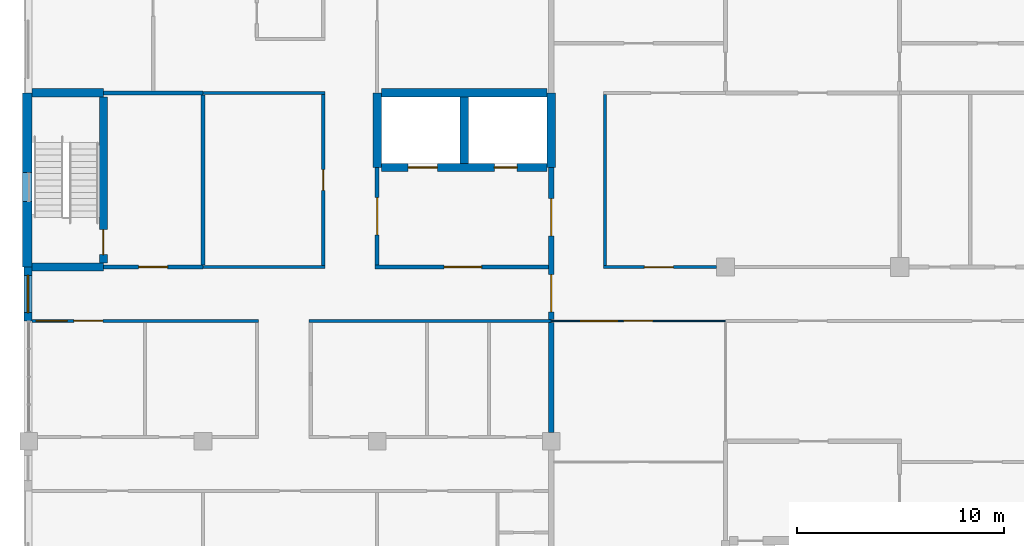
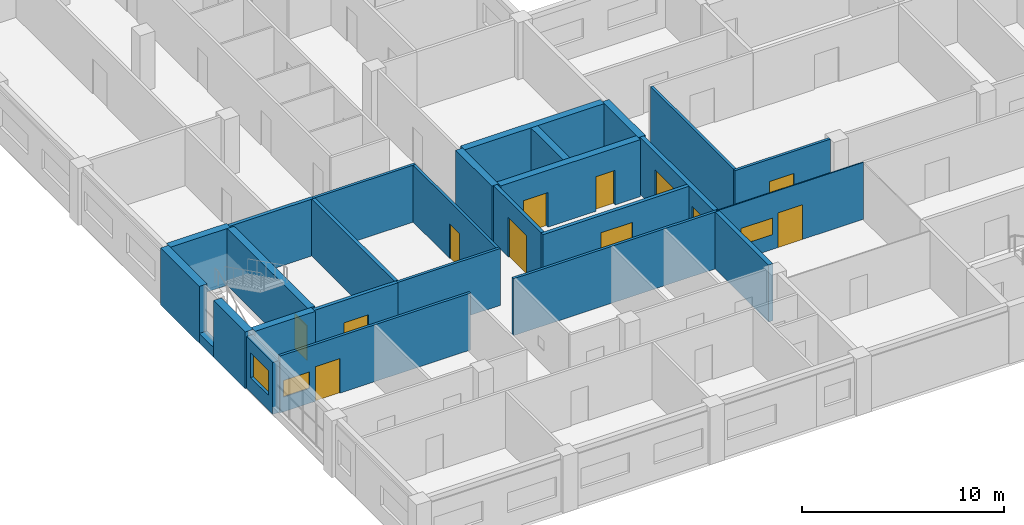
# One storey, part 52 of 94: 27 walls, 12 doors, 3 windows, 15 openings.
"""IFC4 building model written with IfcOpenShell, lengths in metres."""

import ifcopenshell
import ifcopenshell.guid

model = None  # the IFC model being written
_history = None  # IfcOwnerHistory: only IFC2X3 demands one
_inside = {}  # id of a spatial element -> (the spatial element, [elements in it])
_under = {}  # id of a project, library or spatial element -> (it, [spatial elements below it])
_declared = {}  # id of a project -> (the project, [libraries it declares])
_typed = {}  # id of a type object -> (the type object, [elements of that type])
_made_of = {}  # id of a material, layer set ... -> (it, [elements and type objects made of it])


def new_model(schema):
    """Start an empty IFC model of exactly this schema.

    Asked for "IFC4X3", IfcOpenShell would pick the latest addendum, in which some entities
    have other attributes; the version numbers below select the first issue.
    IFC2X3 requires an IfcOwnerHistory on every rooted entity: one is made here for all.
    """
    global model, _history
    if schema == "IFC4X3":
        model = ifcopenshell.file(schema_version=(4, 3, 0, 0))
    else:
        model = ifcopenshell.file(schema=schema)
    _inside.clear()
    _under.clear()
    _declared.clear()
    _typed.clear()
    _made_of.clear()
    _history = None
    if model.schema == "IFC2X3":
        org = make("IfcOrganization", Name="unknown")
        user = make(
            "IfcPersonAndOrganization",
            ThePerson=make("IfcPerson", FamilyName="unknown"),
            TheOrganization=org,
        )
        app = make(
            "IfcApplication",
            ApplicationDeveloper=org,
            Version="unknown",
            ApplicationFullName="unknown",
            ApplicationIdentifier="unknown",
        )
        _history = make(
            "IfcOwnerHistory",
            OwningUser=user,
            OwningApplication=app,
            ChangeAction="ADDED",
            CreationDate=0,
        )
    return model


def make(cls, **values):
    """One entity of the class cls with the attributes given. An attribute that is None is left unset."""
    return model.create_entity(
        cls, **{name: value for name, value in values.items() if value is not None}
    )


def rooted(cls, **values):
    """An entity with a GlobalId (a new one), such as an element, a storey or a relation."""
    return make(cls, GlobalId=ifcopenshell.guid.new(), OwnerHistory=_history, **values)


def si_unit(unit_type, name, prefix=None):
    """IfcSIUnit, for example si_unit("LENGTHUNIT", "METRE", prefix="MILLI")."""
    return make("IfcSIUnit", UnitType=unit_type, Prefix=prefix, Name=name)


def assignment(units):
    """IfcUnitAssignment: the units of a project."""
    return None if units is None else make("IfcUnitAssignment", Units=units)


def point(xyz):
    """IfcCartesianPoint."""
    return None if xyz is None else make("IfcCartesianPoint", Coordinates=xyz)


def direction(xyz):
    """IfcDirection."""
    return None if xyz is None else make("IfcDirection", DirectionRatios=xyz)


def frame(location, z_axis=None, x_axis=None):
    """IfcAxis2Placement3D, a coordinate frame: its origin and axes. An axis left out is left unset."""
    return make(
        "IfcAxis2Placement3D",
        Location=point(location),
        Axis=direction(z_axis),
        RefDirection=direction(x_axis),
    )


def frame_2d(location, x_axis=None):
    """IfcAxis2Placement2D, a coordinate frame in the plane: its origin and x axis."""
    return make(
        "IfcAxis2Placement2D", Location=point(location), RefDirection=direction(x_axis)
    )


def origin():
    """The frame at (0, 0, 0) with its axes left unset."""
    return frame((0.0, 0.0, 0.0))


def place(relative_to, where):
    """IfcLocalPlacement: puts the frame where relative to a parent placement (None: the world)."""
    return make(
        "IfcLocalPlacement", PlacementRelTo=relative_to, RelativePlacement=where
    )


def context(
    kind, dimensions, precision=None, world=None, true_north=None, identifier=None
):
    """IfcGeometricRepresentationContext, for example the 3D "Model" context."""
    return make(
        "IfcGeometricRepresentationContext",
        ContextIdentifier=identifier,
        ContextType=kind,
        CoordinateSpaceDimension=dimensions,
        Precision=precision,
        WorldCoordinateSystem=world,
        TrueNorth=true_north,
    )


def subcontext(parent, identifier, kind, view, scale=None):
    """IfcGeometricRepresentationSubContext, for example "Body" below "Model"."""
    return make(
        "IfcGeometricRepresentationSubContext",
        ContextIdentifier=identifier,
        ContextType=kind,
        ParentContext=parent,
        TargetScale=scale,
        TargetView=view,
    )


def project(units=None, contexts=None):
    """IfcProject with its units and contexts."""
    return rooted(
        "IfcProject",
        Name="project",
        RepresentationContexts=contexts,
        UnitsInContext=assignment(units),
    )


def spatial(cls, under=None, at=None, **own):
    """A site, building, storey or space (cls), placed at a placement, below another one or the project."""
    s = rooted(cls, ObjectPlacement=at, **own)
    if under is not None:
        _under.setdefault(under.id(), (under, []))[1].append(s)
    return s


def profile(cls, at=None, kind="AREA", **sizes):
    """A parametric profile (cls). Its sizes go by their IFC names, for example OverallWidth=200.0."""
    return make(cls, ProfileType=kind, Position=at, **sizes)


def rectangle(**sizes):
    """IfcRectangleProfileDef."""
    return profile("IfcRectangleProfileDef", **sizes)


def extrude(swept, where, along, depth):
    """IfcExtrudedAreaSolid: the profile swept, set in the frame where, extruded along a direction by depth."""
    return make(
        "IfcExtrudedAreaSolid",
        SweptArea=swept,
        Position=where,
        ExtrudedDirection=direction(along),
        Depth=depth,
    )


def shape(context_of_items, identifier, shape_type, items):
    """IfcShapeRepresentation: the items that make up one representation, for example the "Body"."""
    return make(
        "IfcShapeRepresentation",
        ContextOfItems=context_of_items,
        RepresentationIdentifier=identifier,
        RepresentationType=shape_type,
        Items=items,
    )


def material(Name=None, Category=None):
    """IfcMaterial."""
    return make("IfcMaterial", Name=Name, Category=Category)


def layer(
    of_material, thickness, ventilated=None, Name=None, Category=None, Priority=None
):
    """IfcMaterialLayer: one layer of a wall or slab, of a material (None: an air gap)."""
    return make(
        "IfcMaterialLayer",
        Material=of_material,
        LayerThickness=thickness,
        IsVentilated=ventilated,
        Name=Name,
        Category=Category,
        Priority=Priority,
    )


def layer_set(layers, Name=None):
    """IfcMaterialLayerSet."""
    return make("IfcMaterialLayerSet", MaterialLayers=layers, LayerSetName=Name)


def made_of(thing, what):
    """Note that an element or type object is made of a material, layer set ...; save() writes the relation."""
    if what is not None:
        _made_of.setdefault(what.id(), (what, []))[1].append(thing)
    return thing


def type_object(cls, material=None, **own):
    """A type object (cls), such as IfcWallType, which elements share."""
    return made_of(rooted(cls, **own), material)


def element(
    cls,
    number,
    at=None,
    inside=None,
    cuts=None,
    type_object=None,
    material=None,
    context=None,
    identifier="Body",
    shape_type=None,
    held_by="IfcProductDefinitionShape",
    body=None,
    shapes=None,
    **own,
):
    """One element of the class cls, such as IfcWall. Its Tag is "e" and its number.

    at: its placement. inside: the storey or other place that contains it. cuts: it is an
    opening in that element (IfcRelVoidsElement). A single representation is given by context,
    identifier, shape_type and body (its items); several are given by shapes. held_by: the class
    of the entity that holds the representations. save() writes the other relations.
    """
    e = rooted(cls, Tag="e%d" % number, ObjectPlacement=at, **own)
    if body is not None:
        shapes = [shape(context, identifier, shape_type, body)]
    if shapes is not None:
        e.Representation = make(held_by, Representations=shapes)
    if inside is not None:
        _inside.setdefault(inside.id(), (inside, []))[1].append(e)
    if cuts is not None:
        rooted(
            "IfcRelVoidsElement", RelatingBuildingElement=cuts, RelatedOpeningElement=e
        )
    if type_object is not None:
        _typed.setdefault(type_object.id(), (type_object, []))[1].append(e)
    return made_of(e, material)


def fill(opening, filler):
    """IfcRelFillsElement: the door or window that sits in an opening."""
    return rooted(
        "IfcRelFillsElement",
        RelatingOpeningElement=opening,
        RelatedBuildingElement=filler,
    )


def aggregate(whole, parts):
    """IfcRelAggregates: a whole, such as a stair, and the parts it consists of."""
    return rooted("IfcRelAggregates", RelatingObject=whole, RelatedObjects=parts)


def save(model, path):
    """Write the relations noted so far, then the file.

    IfcRelAggregates (storeys below a building ...), IfcRelContainedInSpatialStructure (elements
    in a storey), IfcRelDefinesByType, IfcRelAssociatesMaterial and IfcRelDeclares: one each for
    every whole, place, type object, material and project.
    """
    for whole, parts in _under.values():
        aggregate(whole, parts)
    for where, things in _inside.values():
        rooted(
            "IfcRelContainedInSpatialStructure",
            RelatedElements=things,
            RelatingStructure=where,
        )
    for kind, things in _typed.values():
        rooted("IfcRelDefinesByType", RelatedObjects=things, RelatingType=kind)
    for what, things in _made_of.values():
        rooted("IfcRelAssociatesMaterial", RelatedObjects=things, RelatingMaterial=what)
    for by, libraries in _declared.values():
        rooted("IfcRelDeclares", RelatingContext=by, RelatedDefinitions=libraries)
    model.write(path)


model = new_model("IFC4")

# Units and contexts
model_context = context("Model", 3, precision=1e-05, world=origin(), true_north=direction((0.0, 1.0)))
body_context = subcontext(model_context, "Body", "Model", "MODEL_VIEW")
ifc_project = project(units=[si_unit("LENGTHUNIT", "METRE"), si_unit("AREAUNIT", "SQUARE_METRE"), si_unit("VOLUMEUNIT", "CUBIC_METRE"), si_unit("PLANEANGLEUNIT", "RADIAN"), si_unit("MASSUNIT", "GRAM", prefix="KILO")], contexts=[model_context])

# Site, building, storey
site_placement = place(None, origin())
site = spatial("IfcSite", under=ifc_project, at=site_placement, CompositionType="ELEMENT")
building_placement = place(site_placement, origin())
building = spatial("IfcBuilding", under=site, at=building_placement, Name="Yavir Park General Hospital", CompositionType="ELEMENT")
storey_placement = place(building_placement, frame((0.0, 0.0, 4.5)))
storey = spatial("IfcBuildingStorey", under=building, at=storey_placement, Name="L01", CompositionType="ELEMENT", Elevation=4.5)

# Wall
ifc_material_1 = material(Name="Concrete C30/37", Category="concrete")
ifc_layer_1 = layer(ifc_material_1, 0.25)
ifc_layer_set_1 = layer_set([ifc_layer_1], Name="Concrete C30/37")
wall_type_1 = type_object("IfcWallType", Name="Compartment fire wall 250, REI 150", PredefinedType="SOLIDWALL", material=ifc_layer_set_1)
wall_1_placement = place(storey_placement, frame((25.199951171875, 8.824951171875, 0.0), z_axis=(0.0, 0.0, 1.0), x_axis=(0.0, 1.0, 0.0)))
element("IfcWall", 1, at=wall_1_placement, inside=storey, type_object=wall_type_1, Name="FW25 L01-320", PredefinedType="SOLIDWALL", context=body_context, shape_type="SweptSolid", body=[
    extrude(rectangle(XDim=5.300048828125, YDim=0.25, at=frame_2d((2.64990234375, 0.0))), origin(), (0.0, 0.0, 1.0), 3.449951171875),
])

# Wall, openings, doors
wall_2_placement = place(storey_placement, frame((25.199951171875, 14.27490234375, 0.0), z_axis=(0.0, 0.0, 1.0), x_axis=(0.0, 1.0, 0.0)))
wall_2 = element("IfcWall", 2, at=wall_2_placement, inside=storey, type_object=wall_type_1, Name="FW25 L01-321", PredefinedType="SOLIDWALL", context=body_context, shape_type="SweptSolid", body=[
    extrude(rectangle(XDim=7.3251953125, YDim=0.25, at=frame_2d((3.66259765625, 0.0))), origin(), (0.0, 0.0, 1.0), 3.449951171875),
])
opening_1_placement = place(wall_2_placement, frame((0.362548828125, 0.0, 0.0)))
opening_1 = element("IfcOpeningElement", 3, at=opening_1_placement, cuts=wall_2, Name="Opening L01.D224", PredefinedType="OPENING", context=body_context, shape_type="SweptSolid", body=[
    extrude(rectangle(XDim=1.800048828125, YDim=2.39990234375, at=frame_2d((0.89990234375, 1.199951171875))), frame((0.0, 0.135009765625, 0.0), z_axis=(0.0, -1.0, 0.0), x_axis=(1.0, 0.0, 0.0)), (0.0, 0.0, 1.0), 0.27001953125),
])
opening_2_placement = place(wall_2_placement, frame((4.02490234375, 0.0, 0.0)))
opening_2 = element("IfcOpeningElement", 4, at=opening_2_placement, cuts=wall_2, Name="Opening L01.D225", PredefinedType="OPENING", context=body_context, shape_type="SweptSolid", body=[
    extrude(rectangle(XDim=1.800048828125, YDim=2.39990234375, at=frame_2d((0.89990234375, 1.199951171875))), frame((0.0, 0.135009765625, 0.0), z_axis=(0.0, -1.0, 0.0), x_axis=(1.0, 0.0, 0.0)), (0.0, 0.0, 1.0), 0.27001953125),
])
ifc_material_2 = material(Name="Steel frame, fire-resisting leaves with vision panels", Category="steel")
door_type_1 = type_object("IfcDoorType", Name="Double fire door with vision panels 1800 x 2400, EI 60", OperationType="DOUBLE_DOOR_SINGLE_SWING", PredefinedType="DOOR", material=ifc_material_2)
door_1_placement = place(opening_1_placement, origin())
door_1 = element("IfcDoor", 5, at=door_1_placement, inside=storey, type_object=door_type_1, Name="L01.D224", OperationType="SINGLE_SWING_LEFT", OverallHeight=2.39990234375, OverallWidth=1.800048828125, PredefinedType="DOOR", context=body_context, shape_type="SweptSolid", body=[
    extrude(rectangle(XDim=1.800048828125, YDim=2.39990234375, at=frame_2d((0.89990234375, 1.199951171875))), frame((0.0, 0.030029296875, 0.0), z_axis=(0.0, -1.0, 0.0), x_axis=(1.0, 0.0, 0.0)), (0.0, 0.0, 1.0), 0.06005859375),
])
fill(opening_1, door_1)
door_2_placement = place(opening_2_placement, origin())
door_2 = element("IfcDoor", 6, at=door_2_placement, inside=storey, type_object=door_type_1, Name="L01.D225", OperationType="SINGLE_SWING_LEFT", OverallHeight=2.39990234375, OverallWidth=1.800048828125, PredefinedType="DOOR", context=body_context, shape_type="SweptSolid", body=[
    extrude(rectangle(XDim=1.800048828125, YDim=2.39990234375, at=frame_2d((0.89990234375, 1.199951171875))), frame((0.0, 0.030029296875, 0.0), z_axis=(0.0, -1.0, 0.0), x_axis=(1.0, 0.0, 0.0)), (0.0, 0.0, 1.0), 0.06005859375),
])
fill(opening_2, door_2)

# Wall, opening, door
ifc_material_3 = material(Name="Double gypsum board fire partition on steel studs", Category="steel")
ifc_layer_2 = layer(ifc_material_3, 0.199951171875)
ifc_layer_set_2 = layer_set([ifc_layer_2], Name="Double gypsum board fire partition on steel studs")
wall_type_2 = type_object("IfcWallType", Name="Fire-rated partition 200, EI 60", PredefinedType="PARTITIONING", material=ifc_layer_set_2)
wall_3_placement = place(storey_placement, frame((3.60009765625, 16.800048828125, 0.0), z_axis=(0.0, 0.0, 1.0), x_axis=(1.0, 0.0, 0.0)))
wall_3 = element("IfcWall", 7, at=wall_3_placement, inside=storey, type_object=wall_type_2, Name="FP20 L01-065", PredefinedType="PARTITIONING", context=body_context, shape_type="SweptSolid", body=[
    extrude(rectangle(XDim=4.7998046875, YDim=0.199951171875, at=frame_2d((2.39990234375, 0.0))), origin(), (0.0, 0.0, 1.0), 3.449951171875),
])
opening_3_placement = place(wall_3_placement, frame((1.699951171875, 0.0, 0.0)))
opening_3 = element("IfcOpeningElement", 8, at=opening_3_placement, cuts=wall_3, Name="Opening L01.D082", PredefinedType="OPENING", context=body_context, shape_type="SweptSolid", body=[
    extrude(rectangle(XDim=1.39990234375, YDim=2.10009765625, at=frame_2d((0.699951171875, 1.050048828125))), frame((0.0, 0.10986328125, 0.0), z_axis=(0.0, -1.0, 0.0), x_axis=(1.0, 0.0, 0.0)), (0.0, 0.0, 1.0), 0.219970703125),
])
ifc_material_4 = material(Name="Steel frame, fire-resisting leaves with vision panels", Category="steel")
door_type_2 = type_object("IfcDoorType", Name="Double fire door with vision panels 1400 x 2100, EI 60", OperationType="DOUBLE_DOOR_SINGLE_SWING", PredefinedType="DOOR", material=ifc_material_4)
door_3_placement = place(opening_3_placement, origin())
door_3 = element("IfcDoor", 9, at=door_3_placement, inside=storey, type_object=door_type_2, Name="L01.D082", OperationType="SINGLE_SWING_LEFT", OverallHeight=2.10009765625, OverallWidth=1.39990234375, PredefinedType="DOOR", context=body_context, shape_type="SweptSolid", body=[
    extrude(rectangle(XDim=1.39990234375, YDim=2.10009765625, at=frame_2d((0.699951171875, 1.050048828125))), frame((0.0, 0.030029296875, 0.0), z_axis=(0.0, -1.0, 0.0), x_axis=(1.0, 0.0, 0.0)), (0.0, 0.0, 1.0), 0.06005859375),
])
fill(opening_3, door_3)

wall_4_placement = place(storey_placement, frame((16.699951171875, 16.800048828125, 0.0), z_axis=(0.0, 0.0, 1.0), x_axis=(1.0, 0.0, 0.0)))
wall_4 = element("IfcWall", 10, at=wall_4_placement, inside=storey, type_object=wall_type_2, Name="FP20 L01-067", PredefinedType="PARTITIONING", context=body_context, shape_type="SweptSolid", body=[
    extrude(rectangle(XDim=8.375, YDim=0.199951171875, at=frame_2d((4.1875, 0.0))), origin(), (0.0, 0.0, 1.0), 3.449951171875),
])
opening_4_placement = place(wall_4_placement, frame((3.33740234375, 0.0, 0.0)))
opening_4 = element("IfcOpeningElement", 11, at=opening_4_placement, cuts=wall_4, Name="Opening L01.D083", PredefinedType="OPENING", context=body_context, shape_type="SweptSolid", body=[
    extrude(rectangle(XDim=1.800048828125, YDim=2.39990234375, at=frame_2d((0.89990234375, 1.199951171875))), frame((0.0, 0.10986328125, 0.0), z_axis=(0.0, -1.0, 0.0), x_axis=(1.0, 0.0, 0.0)), (0.0, 0.0, 1.0), 0.219970703125),
])
door_4_placement = place(opening_4_placement, origin())
door_4 = element("IfcDoor", 12, at=door_4_placement, inside=storey, type_object=door_type_1, Name="L01.D083", OperationType="SINGLE_SWING_RIGHT", OverallHeight=2.39990234375, OverallWidth=1.800048828125, PredefinedType="DOOR", context=body_context, shape_type="SweptSolid", body=[
    extrude(rectangle(XDim=1.800048828125, YDim=2.39990234375, at=frame_2d((0.89990234375, 1.199951171875))), frame((0.0, 0.030029296875, 0.0), z_axis=(0.0, -1.0, 0.0), x_axis=(1.0, 0.0, 0.0)), (0.0, 0.0, 1.0), 0.06005859375),
])
fill(opening_4, door_4)

# Walls
wall_5_placement = place(storey_placement, frame((3.60009765625, 25.199951171875, 0.0), z_axis=(0.0, 0.0, 1.0), x_axis=(1.0, 0.0, 0.0)))
element("IfcWall", 13, at=wall_5_placement, inside=storey, type_object=wall_type_2, Name="FP20 L01-091", PredefinedType="PARTITIONING", context=body_context, shape_type="SweptSolid", body=[
    extrude(rectangle(XDim=4.7998046875, YDim=0.199951171875, at=frame_2d((2.39990234375, 0.0))), origin(), (0.0, 0.0, 1.0), 3.449951171875),
])
wall_6_placement = place(storey_placement, frame((8.39990234375, 16.89990234375, 0.0), z_axis=(0.0, 0.0, 1.0), x_axis=(0.0, 1.0, 0.0)))
element("IfcWall", 14, at=wall_6_placement, inside=storey, type_object=wall_type_2, Name="FP20 L01-285", PredefinedType="PARTITIONING", context=body_context, shape_type="SweptSolid", body=[
    extrude(rectangle(XDim=8.2001953125, YDim=0.199951171875, at=frame_2d((4.10009765625, 0.0))), origin(), (0.0, 0.0, 1.0), 3.449951171875),
])

# Wall, opening, door
wall_7_placement = place(storey_placement, frame((16.800048828125, 16.89990234375, 0.0), z_axis=(0.0, 0.0, 1.0), x_axis=(0.0, 1.0, 0.0)))
wall_7 = element("IfcWall", 15, at=wall_7_placement, inside=storey, type_object=wall_type_2, Name="FP20 L01-301", PredefinedType="PARTITIONING", context=body_context, shape_type="SweptSolid", body=[
    extrude(rectangle(XDim=4.7001953125, YDim=0.199951171875, at=frame_2d((2.35009765625, 0.0))), origin(), (0.0, 0.0, 1.0), 3.449951171875),
])
opening_5_placement = place(wall_7_placement, frame((1.449951171875, 0.0, 0.0)))
opening_5 = element("IfcOpeningElement", 16, at=opening_5_placement, cuts=wall_7, Name="Opening L01.D208", PredefinedType="OPENING", context=body_context, shape_type="SweptSolid", body=[
    extrude(rectangle(XDim=1.800048828125, YDim=2.39990234375, at=frame_2d((0.89990234375, 1.199951171875))), frame((0.0, 0.10986328125, 0.0), z_axis=(0.0, -1.0, 0.0), x_axis=(1.0, 0.0, 0.0)), (0.0, 0.0, 1.0), 0.219970703125),
])
door_5_placement = place(opening_5_placement, origin())
door_5 = element("IfcDoor", 17, at=door_5_placement, inside=storey, type_object=door_type_1, Name="L01.D208", OperationType="SINGLE_SWING_LEFT", OverallHeight=2.39990234375, OverallWidth=1.800048828125, PredefinedType="DOOR", context=body_context, shape_type="SweptSolid", body=[
    extrude(rectangle(XDim=1.800048828125, YDim=2.39990234375, at=frame_2d((0.89990234375, 1.199951171875))), frame((0.0, 0.030029296875, 0.0), z_axis=(0.0, -1.0, 0.0), x_axis=(1.0, 0.0, 0.0)), (0.0, 0.0, 1.0), 0.06005859375),
])
fill(opening_5, door_5)

# Wall, openings, door, window
ifc_material_5 = material(Name="Gypsum board partition on steel studs", Category="steel")
ifc_layer_3 = layer(ifc_material_5, 0.14990234375)
ifc_layer_set_3 = layer_set([ifc_layer_3], Name="Gypsum board partition on steel studs")
wall_type_3 = type_object("IfcWallType", Name="Gypsum board partition 150", PredefinedType="PARTITIONING", material=ifc_layer_set_3)
wall_8_placement = place(storey_placement, frame((0.14990234375, 14.199951171875, 0.0), z_axis=(0.0, 0.0, 1.0), x_axis=(1.0, 0.0, 0.0)))
wall_8 = element("IfcWall", 18, at=wall_8_placement, inside=storey, type_object=wall_type_3, Name="P15 L01-045", PredefinedType="PARTITIONING", context=body_context, shape_type="SweptSolid", body=[
    extrude(rectangle(XDim=10.925048828125, YDim=0.14990234375, at=frame_2d((5.46240234375, 0.0))), origin(), (0.0, 0.0, 1.0), 3.449951171875),
])
opening_6_placement = place(wall_8_placement, frame((2.02490234375, 0.0, 0.0)))
opening_6 = element("IfcOpeningElement", 19, at=opening_6_placement, cuts=wall_8, Name="Opening L01.D058", PredefinedType="OPENING", context=body_context, shape_type="SweptSolid", body=[
    extrude(rectangle(XDim=1.39990234375, YDim=2.10009765625, at=frame_2d((0.699951171875, 1.050048828125))), frame((0.0, 0.0849609375, 0.0), z_axis=(0.0, -1.0, 0.0), x_axis=(1.0, 0.0, 0.0)), (0.0, 0.0, 1.0), 0.169921875),
])
opening_7_placement = place(wall_8_placement, frame((0.199951171875, 0.0, 0.89990234375)))
opening_7 = element("IfcOpeningElement", 20, at=opening_7_placement, cuts=wall_8, Name="Opening L01.901", PredefinedType="OPENING", context=body_context, shape_type="SweptSolid", body=[
    extrude(rectangle(XDim=1.5, YDim=1.0, at=frame_2d((0.75, 0.5))), frame((0.0, 0.0849609375, 0.0), z_axis=(0.0, -1.0, 0.0), x_axis=(1.0, 0.0, 0.0)), (0.0, 0.0, 1.0), 0.169921875),
])
ifc_material_6 = material(Name="Hollow metal frame, solid-core timber leaf", Category="wood")
door_type_3 = type_object("IfcDoorType", Name="Double swing door 1400 x 2100", OperationType="DOUBLE_DOOR_SINGLE_SWING", PredefinedType="DOOR", material=ifc_material_6)
door_6_placement = place(opening_6_placement, origin())
door_6 = element("IfcDoor", 21, at=door_6_placement, inside=storey, type_object=door_type_3, Name="L01.D058", OperationType="SINGLE_SWING_RIGHT", OverallHeight=2.10009765625, OverallWidth=1.39990234375, PredefinedType="DOOR", context=body_context, shape_type="SweptSolid", body=[
    extrude(rectangle(XDim=1.39990234375, YDim=2.10009765625, at=frame_2d((0.699951171875, 1.050048828125))), frame((0.0, 0.02490234375, 0.0), z_axis=(0.0, -1.0, 0.0), x_axis=(1.0, 0.0, 0.0)), (0.0, 0.0, 1.0), 0.050048828125),
])
fill(opening_6, door_6)
ifc_material_7 = material(Name="Toughened glass sliding panels, aluminium frame", Category="aluminium")
window_type_1 = type_object("IfcWindowType", Name="Reception counter window 1500 x 1000", PartitioningType="DOUBLE_PANEL_HORIZONTAL", PredefinedType="WINDOW", material=ifc_material_7)
window_1_placement = place(opening_7_placement, origin())
window_1 = element("IfcWindow", 22, at=window_1_placement, inside=storey, type_object=window_type_1, Name="L01.901", OverallHeight=1.0, OverallWidth=1.5, PartitioningType="DOUBLE_PANEL_HORIZONTAL", PredefinedType="WINDOW", context=body_context, shape_type="SweptSolid", body=[
    extrude(rectangle(XDim=1.5, YDim=1.0, at=frame_2d((0.75, 0.5))), frame((0.0, 0.02490234375, 0.0), z_axis=(0.0, -1.0, 0.0), x_axis=(1.0, 0.0, 0.0)), (0.0, 0.0, 1.0), 0.050048828125),
])
fill(opening_7, window_1)

# Walls
wall_9_placement = place(storey_placement, frame((13.52490234375, 14.199951171875, 0.0), z_axis=(0.0, 0.0, 1.0), x_axis=(1.0, 0.0, 0.0)))
element("IfcWall", 23, at=wall_9_placement, inside=storey, type_object=wall_type_3, Name="P15 L01-046", PredefinedType="PARTITIONING", context=body_context, shape_type="SweptSolid", body=[
    extrude(rectangle(XDim=11.675048828125, YDim=0.14990234375, at=frame_2d((5.83740234375, 0.0))), origin(), (0.0, 0.0, 1.0), 3.449951171875),
])
wall_10_placement = place(storey_placement, frame((8.39990234375, 16.800048828125, 0.0), z_axis=(0.0, 0.0, 1.0), x_axis=(1.0, 0.0, 0.0)))
element("IfcWall", 24, at=wall_10_placement, inside=storey, type_object=wall_type_3, Name="P15 L01-066", PredefinedType="PARTITIONING", context=body_context, shape_type="SweptSolid", body=[
    extrude(rectangle(XDim=5.875, YDim=0.14990234375, at=frame_2d((2.9375, 0.0))), origin(), (0.0, 0.0, 1.0), 3.449951171875),
])

# Wall, opening, door
wall_11_placement = place(storey_placement, frame((27.72509765625, 16.800048828125, 0.0), z_axis=(0.0, 0.0, 1.0), x_axis=(1.0, 0.0, 0.0)))
wall_11 = element("IfcWall", 25, at=wall_11_placement, inside=storey, type_object=wall_type_3, Name="P15 L01-068", PredefinedType="PARTITIONING", context=body_context, shape_type="SweptSolid", body=[
    extrude(rectangle(XDim=5.449951171875, YDim=0.14990234375, at=frame_2d((2.72509765625, 0.0))), origin(), (0.0, 0.0, 1.0), 3.449951171875),
])
opening_8_placement = place(wall_11_placement, frame((1.96240234375, 0.0, 0.0)))
opening_8 = element("IfcOpeningElement", 26, at=opening_8_placement, cuts=wall_11, Name="Opening L01.D084", PredefinedType="OPENING", context=body_context, shape_type="SweptSolid", body=[
    extrude(rectangle(XDim=1.39990234375, YDim=2.10009765625, at=frame_2d((0.699951171875, 1.050048828125))), frame((0.0, 0.0849609375, 0.0), z_axis=(0.0, -1.0, 0.0), x_axis=(1.0, 0.0, 0.0)), (0.0, 0.0, 1.0), 0.169921875),
])
door_7_placement = place(opening_8_placement, origin())
door_7 = element("IfcDoor", 27, at=door_7_placement, inside=storey, type_object=door_type_3, Name="L01.D084", OperationType="SINGLE_SWING_RIGHT", OverallHeight=2.10009765625, OverallWidth=1.39990234375, PredefinedType="DOOR", context=body_context, shape_type="SweptSolid", body=[
    extrude(rectangle(XDim=1.39990234375, YDim=2.10009765625, at=frame_2d((0.699951171875, 1.050048828125))), frame((0.0, 0.02490234375, 0.0), z_axis=(0.0, -1.0, 0.0), x_axis=(1.0, 0.0, 0.0)), (0.0, 0.0, 1.0), 0.050048828125),
])
fill(opening_8, door_7)

# Wall
wall_12_placement = place(storey_placement, frame((8.39990234375, 25.199951171875, 0.0), z_axis=(0.0, 0.0, 1.0), x_axis=(1.0, 0.0, 0.0)))
element("IfcWall", 28, at=wall_12_placement, inside=storey, type_object=wall_type_3, Name="P15 L01-092", PredefinedType="PARTITIONING", context=body_context, shape_type="SweptSolid", body=[
    extrude(rectangle(XDim=5.875, YDim=0.14990234375, at=frame_2d((2.9375, 0.0))), origin(), (0.0, 0.0, 1.0), 3.449951171875),
])

# Wall, opening, door
wall_13_placement = place(storey_placement, frame((14.199951171875, 16.875, 0.0), z_axis=(0.0, 0.0, 1.0), x_axis=(0.0, 1.0, 0.0)))
wall_13 = element("IfcWall", 29, at=wall_13_placement, inside=storey, type_object=wall_type_3, Name="P15 L01-294", PredefinedType="PARTITIONING", context=body_context, shape_type="SweptSolid", body=[
    extrude(rectangle(XDim=8.25, YDim=0.14990234375, at=frame_2d((4.125, 0.0))), origin(), (0.0, 0.0, 1.0), 3.449951171875),
])
opening_9_placement = place(wall_13_placement, frame((3.625, 0.0, 0.0)))
opening_9 = element("IfcOpeningElement", 30, at=opening_9_placement, cuts=wall_13, Name="Opening L01.D194", PredefinedType="OPENING", context=body_context, shape_type="SweptSolid", body=[
    extrude(rectangle(XDim=1.0, YDim=2.10009765625, at=frame_2d((0.5, 1.050048828125))), frame((0.0, 0.0849609375, 0.0), z_axis=(0.0, -1.0, 0.0), x_axis=(1.0, 0.0, 0.0)), (0.0, 0.0, 1.0), 0.169921875),
])
ifc_material_8 = material(Name="Hollow metal frame, solid-core timber leaf", Category="wood")
door_type_4 = type_object("IfcDoorType", Name="Single swing door 1000 x 2100", OperationType="SINGLE_SWING_LEFT", PredefinedType="DOOR", material=ifc_material_8)
door_8_placement = place(opening_9_placement, origin())
door_8 = element("IfcDoor", 31, at=door_8_placement, inside=storey, type_object=door_type_4, Name="L01.D194", OperationType="SINGLE_SWING_RIGHT", OverallHeight=2.10009765625, OverallWidth=1.0, PredefinedType="DOOR", context=body_context, shape_type="SweptSolid", body=[
    extrude(rectangle(XDim=1.0, YDim=2.10009765625, at=frame_2d((0.5, 1.050048828125))), frame((0.0, 0.02490234375, 0.0), z_axis=(0.0, -1.0, 0.0), x_axis=(1.0, 0.0, 0.0)), (0.0, 0.0, 1.0), 0.050048828125),
])
fill(opening_9, door_8)

# Wall
wall_14_placement = place(storey_placement, frame((27.800048828125, 16.875, 0.0), z_axis=(0.0, 0.0, 1.0), x_axis=(0.0, 1.0, 0.0)))
element("IfcWall", 32, at=wall_14_placement, inside=storey, type_object=wall_type_3, Name="P15 L01-325", PredefinedType="PARTITIONING", context=body_context, shape_type="SweptSolid", body=[
    extrude(rectangle(XDim=8.25, YDim=0.14990234375, at=frame_2d((4.125, 0.0))), origin(), (0.0, 0.0, 1.0), 3.449951171875),
])

# Wall, openings, door, window
ifc_material_9 = material(Name="Hygienic sandwich panel with galvanised steel sheet faces", Category="steel")
ifc_layer_4 = layer(ifc_material_9, 0.06005859375)
ifc_layer_set_4 = layer_set([ifc_layer_4], Name="Hygienic sandwich panel with galvanised steel sheet faces")
wall_type_4 = type_object("IfcWallType", Name="Hygienic panel partition 60", PredefinedType="PARTITIONING", material=ifc_layer_set_4)
wall_15_placement = place(storey_placement, frame((25.199951171875, 14.199951171875, 0.0), z_axis=(0.0, 0.0, 1.0), x_axis=(1.0, 0.0, 0.0)))
wall_15 = element("IfcWall", 33, at=wall_15_placement, inside=storey, type_object=wall_type_4, Name="HP60 L01-047", PredefinedType="PARTITIONING", context=body_context, shape_type="SweptSolid", body=[
    extrude(rectangle(XDim=8.400146484375, YDim=0.06005859375, at=frame_2d((4.2001953125, 0.0))), origin(), (0.0, 0.0, 1.0), 3.449951171875),
])
opening_10_placement = place(wall_15_placement, frame((3.5, 0.0, 0.0)))
opening_10 = element("IfcOpeningElement", 34, at=opening_10_placement, cuts=wall_15, Name="Opening L01.D059", PredefinedType="OPENING", context=body_context, shape_type="SweptSolid", body=[
    extrude(rectangle(XDim=1.39990234375, YDim=2.10009765625, at=frame_2d((0.699951171875, 1.050048828125))), frame((0.0, 0.0400390625, 0.0), z_axis=(0.0, -1.0, 0.0), x_axis=(1.0, 0.0, 0.0)), (0.0, 0.0, 1.0), 0.080078125),
])
opening_11_placement = place(wall_15_placement, frame((1.39990234375, 0.0, 0.89990234375)))
opening_11 = element("IfcOpeningElement", 35, at=opening_11_placement, cuts=wall_15, Name="Opening L01.902", PredefinedType="OPENING", context=body_context, shape_type="SweptSolid", body=[
    extrude(rectangle(XDim=1.800048828125, YDim=1.0, at=frame_2d((0.89990234375, 0.5))), frame((0.0, 0.0400390625, 0.0), z_axis=(0.0, -1.0, 0.0), x_axis=(1.0, 0.0, 0.0)), (0.0, 0.0, 1.0), 0.080078125),
])
door_9_placement = place(opening_10_placement, origin())
door_9 = element("IfcDoor", 36, at=door_9_placement, inside=storey, type_object=door_type_3, Name="L01.D059", OperationType="SINGLE_SWING_LEFT", OverallHeight=2.10009765625, OverallWidth=1.39990234375, PredefinedType="DOOR", context=body_context, shape_type="SweptSolid", body=[
    extrude(rectangle(XDim=1.39990234375, YDim=2.10009765625, at=frame_2d((0.699951171875, 1.050048828125))), frame((0.0, 0.02490234375, 0.0), z_axis=(0.0, -1.0, 0.0), x_axis=(1.0, 0.0, 0.0)), (0.0, 0.0, 1.0), 0.050048828125),
])
fill(opening_10, door_9)
ifc_material_10 = material(Name="Security glass, stainless steel counter frame", Category="steel")
window_type_2 = type_object("IfcWindowType", Name="Pharmacy dispensing hatch 1800 x 1000", PartitioningType="DOUBLE_PANEL_HORIZONTAL", PredefinedType="WINDOW", material=ifc_material_10)
window_2_placement = place(opening_11_placement, origin())
window_2 = element("IfcWindow", 37, at=window_2_placement, inside=storey, type_object=window_type_2, Name="L01.902", OverallHeight=1.0, OverallWidth=1.800048828125, PartitioningType="DOUBLE_PANEL_HORIZONTAL", PredefinedType="WINDOW", context=body_context, shape_type="SweptSolid", body=[
    extrude(rectangle(XDim=1.800048828125, YDim=1.0, at=frame_2d((0.89990234375, 0.5))), frame((0.0, 0.02978515625, 0.0), z_axis=(0.0, -1.0, 0.0), x_axis=(1.0, 0.0, 0.0)), (0.0, 0.0, 1.0), 0.0595703125),
])
fill(opening_11, window_2)

# Wall, opening, window
ifc_material_11 = material(Name="Autoclaved aerated block, 150 mm mineral wool and sand-coloured mineral render")
ifc_layer_5 = layer(ifc_material_11, 0.375)
ifc_layer_set_5 = layer_set([ifc_layer_5], Name="Autoclaved aerated block, 150 mm mineral wool and sand-coloured mineral render")
wall_type_5 = type_object("IfcWallType", Name="Mineral render clinical wall 375, E 30", PredefinedType="SOLIDWALL", material=ifc_layer_set_5)
wall_16_placement = place(storey_placement, frame((-0.03759765625, 14.199951171875, 0.0), z_axis=(0.0, 0.0, 1.0), x_axis=(0.0, 1.0, 0.0)))
wall_16 = element("IfcWall", 38, at=wall_16_placement, inside=storey, type_object=wall_type_5, Name="XW1 L01-137", PredefinedType="SOLIDWALL", context=body_context, shape_type="SweptSolid", body=[
    extrude(rectangle(XDim=2.60009765625, YDim=0.375, at=frame_2d((1.300048828125, 0.0))), origin(), (0.0, 0.0, 1.0), 3.14990234375),
])
opening_12_placement = place(wall_16_placement, frame((0.39990234375, 0.0, 0.89990234375)))
opening_12 = element("IfcOpeningElement", 39, at=opening_12_placement, cuts=wall_16, Name="Opening WG", PredefinedType="OPENING", context=body_context, shape_type="SweptSolid", body=[
    extrude(rectangle(XDim=1.800048828125, YDim=1.5, at=frame_2d((0.89990234375, 0.75))), frame((0.0, 0.197509765625, 0.0), z_axis=(0.0, -1.0, 0.0), x_axis=(1.0, 0.0, 0.0)), (0.0, 0.0, 1.0), 0.39501953125),
])
ifc_material_12 = material(Name="Aluminium frame, double glazed unit", Category="aluminium")
window_type_3 = type_object("IfcWindowType", Name="Single-bay window 1800 x 1500", PartitioningType="DOUBLE_PANEL_VERTICAL", PredefinedType="WINDOW", material=ifc_material_12)
window_3_placement = place(opening_12_placement, origin())
window_3 = element("IfcWindow", 40, at=window_3_placement, inside=storey, type_object=window_type_3, Name="WG L01-074", OverallHeight=1.5, OverallWidth=1.800048828125, PartitioningType="DOUBLE_PANEL_VERTICAL", PredefinedType="WINDOW", context=body_context, shape_type="SweptSolid", body=[
    extrude(rectangle(XDim=1.800048828125, YDim=1.5, at=frame_2d((0.89990234375, 0.75))), frame((0.0, 0.030029296875, 0.0), z_axis=(0.0, -1.0, 0.0), x_axis=(1.0, 0.0, 0.0)), (0.0, 0.0, 1.0), 0.06005859375),
])
fill(opening_12, window_3)

# Wall
ifc_material_13 = material(Name="Concrete C35/45", Category="concrete")
ifc_layer_6 = layer(ifc_material_13, 0.39990234375)
ifc_layer_set_6 = layer_set([ifc_layer_6], Name="Concrete C35/45")
wall_type_6 = type_object("IfcWallType", Name="Reinforced concrete core wall 400, REI 150", PredefinedType="SHEAR", material=ifc_layer_set_6)
wall_17_placement = place(storey_placement, frame((0.14990234375, 16.800048828125, 0.0), z_axis=(0.0, 0.0, 1.0), x_axis=(1.0, 0.0, 0.0)))
element("IfcWall", 41, at=wall_17_placement, inside=storey, type_object=wall_type_6, Name="CW40 L01-064", PredefinedType="SHEAR", context=body_context, shape_type="SweptSolid", body=[
    extrude(rectangle(XDim=3.4501953125, YDim=0.39990234375, at=frame_2d((1.72509765625, 0.0))), origin(), (0.0, 0.0, 1.0), 3.449951171875),
])

# Wall, openings, doors
wall_18_placement = place(storey_placement, frame((17.0, 21.60009765625, 0.0), z_axis=(0.0, 0.0, 1.0), x_axis=(1.0, 0.0, 0.0)))
wall_18 = element("IfcWall", 42, at=wall_18_placement, inside=storey, type_object=wall_type_6, Name="CW40 L01-087", PredefinedType="SHEAR", context=body_context, shape_type="SweptSolid", body=[
    extrude(rectangle(XDim=8.0, YDim=0.39990234375, at=frame_2d((4.0, 0.0))), origin(), (0.0, 0.0, 1.0), 3.449951171875),
])
opening_13_placement = place(wall_18_placement, frame((1.300048828125, 0.0, 0.0)))
opening_13 = element("IfcOpeningElement", 43, at=opening_13_placement, cuts=wall_18, Name="Opening L01.D099", PredefinedType="OPENING", context=body_context, shape_type="SweptSolid", body=[
    extrude(rectangle(XDim=1.39990234375, YDim=2.10009765625, at=frame_2d((0.699951171875, 1.050048828125))), frame((0.0, 0.2099609375, 0.0), z_axis=(0.0, -1.0, 0.0), x_axis=(1.0, 0.0, 0.0)), (0.0, 0.0, 1.0), 0.419921875),
])
opening_14_placement = place(wall_18_placement, frame((5.449951171875, 0.0, 0.0)))
opening_14 = element("IfcOpeningElement", 44, at=opening_14_placement, cuts=wall_18, Name="Opening L01.D100", PredefinedType="OPENING", context=body_context, shape_type="SweptSolid", body=[
    extrude(rectangle(XDim=1.10009765625, YDim=2.10009765625, at=frame_2d((0.550048828125, 1.050048828125))), frame((0.0, 0.2099609375, 0.0), z_axis=(0.0, -1.0, 0.0), x_axis=(1.0, 0.0, 0.0)), (0.0, 0.0, 1.0), 0.419921875),
])
ifc_material_14 = material(Name="Stainless steel landing door panels", Category="steel")
door_type_5 = type_object("IfcDoorType", Name="Lift landing door 1100 x 2100, EI 60", OperationType="SLIDING_TO_LEFT", PredefinedType="DOOR", material=ifc_material_14)
door_10_placement = place(opening_14_placement, origin())
door_10 = element("IfcDoor", 45, at=door_10_placement, inside=storey, type_object=door_type_5, Name="L01.D100", OperationType="SLIDING_TO_LEFT", OverallHeight=2.10009765625, OverallWidth=1.10009765625, PredefinedType="DOOR", context=body_context, shape_type="SweptSolid", body=[
    extrude(rectangle(XDim=1.10009765625, YDim=2.10009765625, at=frame_2d((0.550048828125, 1.050048828125))), frame((0.0, 0.02490234375, 0.0), z_axis=(0.0, -1.0, 0.0), x_axis=(1.0, 0.0, 0.0)), (0.0, 0.0, 1.0), 0.050048828125),
])
fill(opening_14, door_10)
ifc_material_15 = material(Name="Stainless steel landing door panels", Category="steel")
door_type_6 = type_object("IfcDoorType", Name="Lift landing door 1400 x 2100, EI 60", OperationType="SLIDING_TO_LEFT", PredefinedType="DOOR", material=ifc_material_15)
door_11_placement = place(opening_13_placement, origin())
door_11 = element("IfcDoor", 46, at=door_11_placement, inside=storey, type_object=door_type_6, Name="L01.D099", OperationType="SLIDING_TO_LEFT", OverallHeight=2.10009765625, OverallWidth=1.39990234375, PredefinedType="DOOR", context=body_context, shape_type="SweptSolid", body=[
    extrude(rectangle(XDim=1.39990234375, YDim=2.10009765625, at=frame_2d((0.699951171875, 1.050048828125))), frame((0.0, 0.02490234375, 0.0), z_axis=(0.0, -1.0, 0.0), x_axis=(1.0, 0.0, 0.0)), (0.0, 0.0, 1.0), 0.050048828125),
])
fill(opening_13, door_11)

# Walls
wall_19_placement = place(storey_placement, frame((0.14990234375, 25.199951171875, 0.0), z_axis=(0.0, 0.0, 1.0), x_axis=(1.0, 0.0, 0.0)))
element("IfcWall", 47, at=wall_19_placement, inside=storey, type_object=wall_type_6, Name="CW40 L01-090", PredefinedType="SHEAR", context=body_context, shape_type="SweptSolid", body=[
    extrude(rectangle(XDim=3.4501953125, YDim=0.39990234375, at=frame_2d((1.72509765625, 0.0))), origin(), (0.0, 0.0, 1.0), 3.449951171875),
])
wall_20_placement = place(storey_placement, frame((17.0, 25.199951171875, 0.0), z_axis=(0.0, 0.0, 1.0), x_axis=(1.0, 0.0, 0.0)))
element("IfcWall", 48, at=wall_20_placement, inside=storey, type_object=wall_type_6, Name="CW40 L01-093", PredefinedType="SHEAR", context=body_context, shape_type="SweptSolid", body=[
    extrude(rectangle(XDim=8.0, YDim=0.39990234375, at=frame_2d((4.0, 0.0))), origin(), (0.0, 0.0, 1.0), 3.449951171875),
])

# Wall, opening, door
wall_21_placement = place(storey_placement, frame((3.60009765625, 17.0, 0.0), z_axis=(0.0, 0.0, 1.0), x_axis=(0.0, 1.0, 0.0)))
wall_21 = element("IfcWall", 49, at=wall_21_placement, inside=storey, type_object=wall_type_6, Name="CW40 L01-275", PredefinedType="SHEAR", context=body_context, shape_type="SweptSolid", body=[
    extrude(rectangle(XDim=8.0, YDim=0.39990234375, at=frame_2d((4.0, 0.0))), origin(), (0.0, 0.0, 1.0), 3.449951171875),
])
opening_15_placement = place(wall_21_placement, frame((0.39990234375, 0.0, 0.0)))
opening_15 = element("IfcOpeningElement", 50, at=opening_15_placement, cuts=wall_21, Name="Opening L01.D165", PredefinedType="OPENING", context=body_context, shape_type="SweptSolid", body=[
    extrude(rectangle(XDim=1.199951171875, YDim=2.10009765625, at=frame_2d((0.60009765625, 1.050048828125))), frame((0.0, 0.2099609375, 0.0), z_axis=(0.0, -1.0, 0.0), x_axis=(1.0, 0.0, 0.0)), (0.0, 0.0, 1.0), 0.419921875),
])
ifc_material_16 = material(Name="Steel frame, fire-resisting timber leaf", Category="steel")
door_type_7 = type_object("IfcDoorType", Name="Fire door 1200 x 2100, EI 60", OperationType="SINGLE_SWING_LEFT", PredefinedType="DOOR", material=ifc_material_16)
door_12_placement = place(opening_15_placement, origin())
door_12 = element("IfcDoor", 51, at=door_12_placement, inside=storey, type_object=door_type_7, Name="L01.D165", OperationType="SINGLE_SWING_RIGHT", OverallHeight=2.10009765625, OverallWidth=1.199951171875, PredefinedType="DOOR", context=body_context, shape_type="SweptSolid", body=[
    extrude(rectangle(XDim=1.199951171875, YDim=2.10009765625, at=frame_2d((0.60009765625, 1.050048828125))), frame((0.0, 0.02490234375, 0.0), z_axis=(0.0, -1.0, 0.0), x_axis=(1.0, 0.0, 0.0)), (0.0, 0.0, 1.0), 0.050048828125),
])
fill(opening_15, door_12)

# Walls
wall_22_placement = place(storey_placement, frame((16.800048828125, 21.60009765625, 0.0), z_axis=(0.0, 0.0, 1.0), x_axis=(0.0, 1.0, 0.0)))
element("IfcWall", 52, at=wall_22_placement, inside=storey, type_object=wall_type_6, Name="CW40 L01-302", PredefinedType="SHEAR", context=body_context, shape_type="SweptSolid", body=[
    extrude(rectangle(XDim=3.599853515625, YDim=0.39990234375, at=frame_2d((1.7998046875, 0.0))), origin(), (0.0, 0.0, 1.0), 3.449951171875),
])
wall_23_placement = place(storey_placement, frame((21.0, 21.800048828125, 0.0), z_axis=(0.0, 0.0, 1.0), x_axis=(0.0, 1.0, 0.0)))
element("IfcWall", 53, at=wall_23_placement, inside=storey, type_object=wall_type_6, Name="CW40 L01-313", PredefinedType="SHEAR", context=body_context, shape_type="SweptSolid", body=[
    extrude(rectangle(XDim=3.199951171875, YDim=0.39990234375, at=frame_2d((1.60009765625, 0.0))), origin(), (0.0, 0.0, 1.0), 3.449951171875),
])
wall_24_placement = place(storey_placement, frame((25.199951171875, 21.60009765625, 0.0), z_axis=(0.0, 0.0, 1.0), x_axis=(0.0, 1.0, 0.0)))
element("IfcWall", 54, at=wall_24_placement, inside=storey, type_object=wall_type_6, Name="CW40 L01-322", PredefinedType="SHEAR", context=body_context, shape_type="SweptSolid", body=[
    extrude(rectangle(XDim=3.599853515625, YDim=0.39990234375, at=frame_2d((1.7998046875, 0.0))), origin(), (0.0, 0.0, 1.0), 3.449951171875),
])
ifc_material_17 = material(Name="Concrete C30/37 precast panel with 150 mm mineral wool insulation", Category="concrete")
ifc_layer_7 = layer(ifc_material_17, 0.449951171875)
ifc_layer_set_7 = layer_set([ifc_layer_7], Name="Concrete C30/37 precast panel with 150 mm mineral wool insulation")
wall_type_7 = type_object("IfcWallType", Name="Stair enclosure wall 450, REI 150", PredefinedType="SOLIDWALL", material=ifc_layer_set_7)
wall_25_placement = place(storey_placement, frame((-0.074951171875, 16.800048828125, 0.0), z_axis=(0.0, 0.0, 1.0), x_axis=(0.0, 1.0, 0.0)))
element("IfcWall", 55, at=wall_25_placement, inside=storey, type_object=wall_type_7, Name="XW6 L01-138", PredefinedType="SOLIDWALL", context=body_context, shape_type="SweptSolid", body=[
    extrude(rectangle(XDim=3.14990234375, YDim=0.449951171875, at=frame_2d((1.574951171875, 0.0))), origin(), (0.0, 0.0, 1.0), 3.449951171875),
])
wall_26_placement = place(storey_placement, frame((-0.074951171875, 21.35009765625, 0.0), z_axis=(0.0, 0.0, 1.0), x_axis=(0.0, 1.0, 0.0)))
element("IfcWall", 56, at=wall_26_placement, inside=storey, type_object=wall_type_7, Name="XW6 L01-139", PredefinedType="SOLIDWALL", context=body_context, shape_type="SweptSolid", body=[
    extrude(rectangle(XDim=3.849853515625, YDim=0.449951171875, at=frame_2d((1.9248046875, 0.0))), origin(), (0.0, 0.0, 1.0), 3.449951171875),
])
wall_27_placement = place(storey_placement, frame((-0.074951171875, 19.949951171875, 0.0), z_axis=(0.0, 0.0, 1.0), x_axis=(0.0, 1.0, 0.0)))
element("IfcWall", 57, at=wall_27_placement, inside=storey, type_object=wall_type_7, Name="XW6 L01-140", PredefinedType="SOLIDWALL", context=body_context, shape_type="SweptSolid", body=[
    extrude(rectangle(XDim=1.400146484375, YDim=0.449951171875, at=frame_2d((0.7001953125, 0.0))), origin(), (0.0, 0.0, 1.0), 0.60009765625),
])

save(model, "model.ifc")
